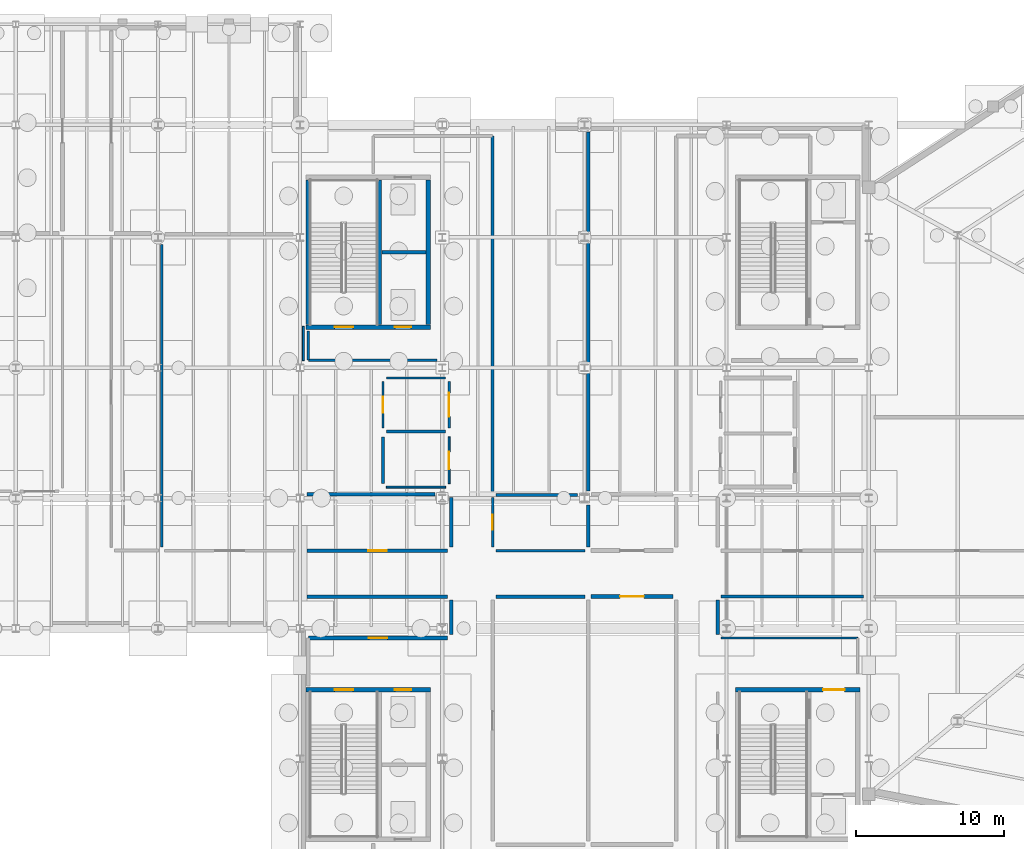
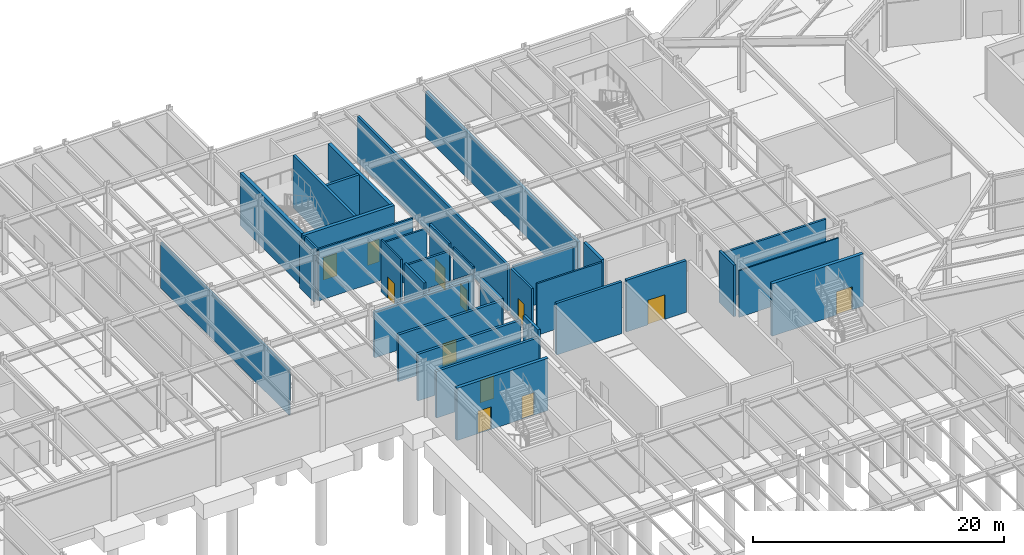
# One storey, part 35 of 48: 35 walls, 12 doors, 12 openings.
"""IFC4 building model written with IfcOpenShell, lengths in metres."""

from ifc_helpers import new_model, si_unit, direction, frame, frame_2d, origin, place, context, subcontext, project, spatial, rectangle, extrude, material, layer, layer_set, type_object, element, fill, save


model = new_model("IFC4")

# Units and contexts
model_context = context("Model", 3, precision=1e-05, world=origin(), true_north=direction((0.0, 1.0)))
body_context = subcontext(model_context, "Body", "Model", "MODEL_VIEW")
ifc_project = project(units=[si_unit("LENGTHUNIT", "METRE"), si_unit("AREAUNIT", "SQUARE_METRE"), si_unit("VOLUMEUNIT", "CUBIC_METRE"), si_unit("PLANEANGLEUNIT", "RADIAN"), si_unit("MASSUNIT", "GRAM", prefix="KILO")], contexts=[model_context])

# Site, building, storey
site_placement = place(None, origin())
site = spatial("IfcSite", under=ifc_project, at=site_placement, CompositionType="ELEMENT")
building_placement = place(site_placement, origin())
building = spatial("IfcBuilding", under=site, at=building_placement, Name="Sarnbrook Museum", CompositionType="ELEMENT")
storey_placement = place(building_placement, frame((0.0, 0.0, -5.39990234375)))
storey = spatial("IfcBuildingStorey", under=building, at=storey_placement, Name="B1", CompositionType="ELEMENT", Elevation=-5.39990234375)

# Wall, opening, door
ifc_material_1 = material(Name="Concrete N50 (AS 3600, f'c = 50 MPa)", Category="concrete")
ifc_layer_1 = layer(ifc_material_1, 0.300048828125)
ifc_layer_set_1 = layer_set([ifc_layer_1], Name="Concrete N50 (AS 3600, f'c = 50 MPa)")
wall_type_1 = type_object("IfcWallType", Name="CoreWall_CWRC", PredefinedType="SHEAR", material=ifc_layer_set_1)
wall_1_placement = place(storey_placement, frame((118.60009765625, 70.25, 0.0), z_axis=(0.0, 0.0, 1.0), x_axis=(-1.0, 0.0, 0.0)))
wall_1 = element("IfcWall", 1, at=wall_1_placement, inside=storey, type_object=wall_type_1, Name="Core C1 Shear Wall N B1", PredefinedType="SHEAR", context=body_context, shape_type="SweptSolid", body=[
    extrude(rectangle(XDim=8.400146484375, YDim=0.300048828125, at=frame_2d((4.2001953125, 0.0))), origin(), (0.0, 0.0, 1.0), 5.094970703125),
])
opening_1_placement = place(wall_1_placement, frame((1.02490234375, 0.0, 0.0)))
opening_1 = element("IfcOpeningElement", 2, at=opening_1_placement, cuts=wall_1, Name="Opening D-LOB-C1-B1", PredefinedType="OPENING", context=body_context, shape_type="SweptSolid", body=[
    extrude(rectangle(XDim=1.449951171875, YDim=2.25, at=frame_2d((0.72509765625, 1.125))), frame((0.0, 0.16015625, 0.0), z_axis=(0.0, -1.0, 0.0), x_axis=(1.0, 0.0, 0.0)), (0.0, 0.0, 1.0), 0.320068359375),
])
ifc_material_2 = material(Name="Tasmanian Oak Acoustic Timber", Category="wood")
door_type_1 = type_object("IfcDoorType", Name="FireDoor_FD120W", OperationType="NOTDEFINED", PredefinedType="DOOR", material=ifc_material_2)
door_1_placement = place(opening_1_placement, origin())
door_1 = element("IfcDoor", 3, at=door_1_placement, inside=storey, type_object=door_type_1, Name="Core C1 Fire Lobby Entry Door B1", OperationType="SINGLE_SWING_RIGHT", OverallHeight=2.25, OverallWidth=1.449951171875, PredefinedType="DOOR", context=body_context, shape_type="SweptSolid", body=[
    extrude(rectangle(XDim=1.449951171875, YDim=2.25, at=frame_2d((0.72509765625, 1.125))), frame((0.0, 0.02490234375, 0.0), z_axis=(0.0, -1.0, 0.0), x_axis=(1.0, 0.0, 0.0)), (0.0, 0.0, 1.0), 0.050048828125),
])
fill(opening_1, door_1)

# Wall, openings, doors
wall_2_placement = place(storey_placement, frame((89.60009765625, 70.25, 0.0), z_axis=(0.0, 0.0, 1.0), x_axis=(-1.0, 0.0, 0.0)))
wall_2 = element("IfcWall", 4, at=wall_2_placement, inside=storey, type_object=wall_type_1, Name="Core C3 Shear Wall N B1", PredefinedType="SHEAR", context=body_context, shape_type="SweptSolid", body=[
    extrude(rectangle(XDim=8.400146484375, YDim=0.300048828125, at=frame_2d((4.2001953125, 0.0))), origin(), (0.0, 0.0, 1.0), 5.094970703125),
])
opening_2_placement = place(wall_2_placement, frame((5.22509765625, 0.0, 0.0)))
opening_2 = element("IfcOpeningElement", 5, at=opening_2_placement, cuts=wall_2, Name="Opening D-ST-ST3-B1", PredefinedType="OPENING", context=body_context, shape_type="SweptSolid", body=[
    extrude(rectangle(XDim=1.25, YDim=2.199951171875, at=frame_2d((0.625, 1.10009765625))), frame((0.0, 0.16015625, 0.0), z_axis=(0.0, -1.0, 0.0), x_axis=(1.0, 0.0, 0.0)), (0.0, 0.0, 1.0), 0.320068359375),
])
opening_3_placement = place(wall_2_placement, frame((1.300048828125, 0.0, 0.0)))
opening_3 = element("IfcOpeningElement", 6, at=opening_3_placement, cuts=wall_2, Name="Opening LD-PL2-B1", PredefinedType="OPENING", context=body_context, shape_type="SweptSolid", body=[
    extrude(rectangle(XDim=1.10009765625, YDim=2.199951171875, at=frame_2d((0.550048828125, 1.10009765625))), frame((0.0, 0.16015625, 0.0), z_axis=(0.0, -1.0, 0.0), x_axis=(1.0, 0.0, 0.0)), (0.0, 0.0, 1.0), 0.320068359375),
])
door_type_2 = type_object("IfcDoorType", Name="FireDoor_FD120", OperationType="NOTDEFINED", PredefinedType="DOOR", material=ifc_material_2)
door_2_placement = place(opening_2_placement, origin())
door_2 = element("IfcDoor", 7, at=door_2_placement, inside=storey, type_object=door_type_2, Name="Exit Stair ST3 Fire Door B1", OperationType="SINGLE_SWING_LEFT", OverallHeight=2.199951171875, OverallWidth=1.25, PredefinedType="DOOR", context=body_context, shape_type="SweptSolid", body=[
    extrude(rectangle(XDim=1.25, YDim=2.199951171875, at=frame_2d((0.625, 1.10009765625))), frame((0.0, 0.02490234375, 0.0), z_axis=(0.0, -1.0, 0.0), x_axis=(1.0, 0.0, 0.0)), (0.0, 0.0, 1.0), 0.050048828125),
])
fill(opening_2, door_2)
ifc_material_3 = material(Name="Brushed Stainless Steel Grade 316", Category="steel")
door_type_3 = type_object("IfcDoorType", Name="LiftDoor_Pax110", OperationType="DOUBLE_DOOR_SLIDING", PredefinedType="DOOR", material=ifc_material_3)
door_3_placement = place(opening_3_placement, origin())
door_3 = element("IfcDoor", 8, at=door_3_placement, inside=storey, type_object=door_type_3, Name="Lift Landing Sliding Door LD-PL2-B1", OperationType="DOUBLE_DOOR_SLIDING", OverallHeight=2.199951171875, OverallWidth=1.10009765625, PredefinedType="DOOR", context=body_context, shape_type="SweptSolid", body=[
    extrude(rectangle(XDim=1.10009765625, YDim=2.199951171875, at=frame_2d((0.550048828125, 1.10009765625))), frame((0.0, 0.02490234375, 0.0), z_axis=(0.0, -1.0, 0.0), x_axis=(1.0, 0.0, 0.0)), (0.0, 0.0, 1.0), 0.050048828125),
])
fill(opening_3, door_3)

wall_3_placement = place(storey_placement, frame((81.199951171875, 94.75, 0.0), z_axis=(0.0, 0.0, 1.0), x_axis=(1.0, 0.0, 0.0)))
wall_3 = element("IfcWall", 9, at=wall_3_placement, inside=storey, type_object=wall_type_1, Name="Core C4 Shear Wall S B1", PredefinedType="SHEAR", context=body_context, shape_type="SweptSolid", body=[
    extrude(rectangle(XDim=8.400146484375, YDim=0.300048828125, at=frame_2d((4.2001953125, 0.0))), origin(), (0.0, 0.0, 1.0), 5.094970703125),
])
opening_4_placement = place(wall_3_placement, frame((1.925048828125, 0.0, 0.0)))
opening_4 = element("IfcOpeningElement", 10, at=opening_4_placement, cuts=wall_3, Name="Opening D-ST-ST4-B1", PredefinedType="OPENING", context=body_context, shape_type="SweptSolid", body=[
    extrude(rectangle(XDim=1.25, YDim=2.199951171875, at=frame_2d((0.625, 1.10009765625))), frame((0.0, 0.16015625, 0.0), z_axis=(0.0, -1.0, 0.0), x_axis=(1.0, 0.0, 0.0)), (0.0, 0.0, 1.0), 0.320068359375),
])
opening_5_placement = place(wall_3_placement, frame((6.0, 0.0, 0.0)))
opening_5 = element("IfcOpeningElement", 11, at=opening_5_placement, cuts=wall_3, Name="Opening LD-PL3-B1", PredefinedType="OPENING", context=body_context, shape_type="SweptSolid", body=[
    extrude(rectangle(XDim=1.10009765625, YDim=2.199951171875, at=frame_2d((0.550048828125, 1.10009765625))), frame((0.0, 0.16015625, 0.0), z_axis=(0.0, -1.0, 0.0), x_axis=(1.0, 0.0, 0.0)), (0.0, 0.0, 1.0), 0.320068359375),
])
door_4_placement = place(opening_4_placement, origin())
door_4 = element("IfcDoor", 12, at=door_4_placement, inside=storey, type_object=door_type_2, Name="Exit Stair ST4 Fire Door B1", OperationType="SINGLE_SWING_RIGHT", OverallHeight=2.199951171875, OverallWidth=1.25, PredefinedType="DOOR", context=body_context, shape_type="SweptSolid", body=[
    extrude(rectangle(XDim=1.25, YDim=2.199951171875, at=frame_2d((0.625, 1.10009765625))), frame((0.0, 0.02490234375, 0.0), z_axis=(0.0, -1.0, 0.0), x_axis=(1.0, 0.0, 0.0)), (0.0, 0.0, 1.0), 0.050048828125),
])
fill(opening_4, door_4)
door_5_placement = place(opening_5_placement, origin())
door_5 = element("IfcDoor", 13, at=door_5_placement, inside=storey, type_object=door_type_3, Name="Lift Landing Sliding Door LD-PL3-B1", OperationType="DOUBLE_DOOR_SLIDING", OverallHeight=2.199951171875, OverallWidth=1.10009765625, PredefinedType="DOOR", context=body_context, shape_type="SweptSolid", body=[
    extrude(rectangle(XDim=1.10009765625, YDim=2.199951171875, at=frame_2d((0.550048828125, 1.10009765625))), frame((0.0, 0.02490234375, 0.0), z_axis=(0.0, -1.0, 0.0), x_axis=(1.0, 0.0, 0.0)), (0.0, 0.0, 1.0), 0.050048828125),
])
fill(opening_5, door_5)

# Walls
for number, where, z_axis, x_axis, name in (
    (14, (89.449951171875, 94.909912109375, 0.0), (0.0, 0.0, 1.0), (0.0, 1.0, 0.0), "Core C4 Shear Wall E B1"),
    (15, (81.35009765625, 104.68994140625, 0.0), (0.0, 0.0, 1.0), (0.0, -1.0, 0.0), "Core C4 Shear Wall W B1"),
):
    element("IfcWall", number, at=place(storey_placement, frame(where, z_axis=z_axis, x_axis=x_axis)), inside=storey, type_object=wall_type_1, Name=name, PredefinedType="SHEAR", context=body_context, shape_type="SweptSolid", body=[
        extrude(rectangle(XDim=9.780029296875, YDim=0.300048828125, at=frame_2d((4.89013671875, 0.0))), origin(), (0.0, 0.0, 1.0), 5.094970703125),
    ])

# Wall, opening, door
ifc_material_4 = material(Name="Concrete N40 (AS 3600, f'c = 40 MPa)", Category="concrete")
ifc_layer_2 = layer(ifc_material_4, 0.260009765625)
ifc_layer_set_2 = layer_set([ifc_layer_2], Name="Concrete N40 (AS 3600, f'c = 40 MPa)")
wall_type_2 = type_object("IfcWallType", Name="FireWall_FW240", PredefinedType="SOLIDWALL", material=ifc_layer_set_2)
wall_4_placement = place(storey_placement, frame((100.449951171875, 76.550048828125, 0.0), z_axis=(0.0, 0.0, 1.0), x_axis=(1.0, 0.0, 0.0)))
wall_4 = element("IfcWall", 16, at=wall_4_placement, inside=storey, type_object=wall_type_2, Name="Interior Partition Wall B1-0051", PredefinedType="SOLIDWALL", context=body_context, shape_type="SweptSolid", body=[
    extrude(rectangle(XDim=5.52001953125, YDim=0.260009765625, at=frame_2d((2.760009765625, 0.0))), origin(), (0.0, 0.0, 1.0), 5.02978515625),
])
opening_6_placement = place(wall_4_placement, frame((1.9599609375, 0.0, 0.0)))
opening_6 = element("IfcOpeningElement", 17, at=opening_6_placement, cuts=wall_4, Name="Opening D-B1-017", PredefinedType="OPENING", context=body_context, shape_type="SweptSolid", body=[
    extrude(rectangle(XDim=1.60009765625, YDim=2.39990234375, at=frame_2d((0.800048828125, 1.199951171875))), frame((0.0, 0.14013671875, 0.0), z_axis=(0.0, -1.0, 0.0), x_axis=(1.0, 0.0, 0.0)), (0.0, 0.0, 1.0), 0.280029296875),
])
ifc_material_5 = material(Name="Patinated Architectural Bronze")
door_type_4 = type_object("IfcDoorType", Name="FireDoor_FD240", OperationType="NOTDEFINED", PredefinedType="DOOR", material=ifc_material_5)
door_6_placement = place(opening_6_placement, frame((1.60009765625, 0.0, 0.0), z_axis=(0.0, 0.0, 1.0), x_axis=(-1.0, 0.0, 0.0)))
door_6 = element("IfcDoor", 18, at=door_6_placement, inside=storey, type_object=door_type_4, Name="Palaeontology Vault B1-12 Door D-B1-017", OperationType="DOUBLE_DOOR_SINGLE_SWING", OverallHeight=2.39990234375, OverallWidth=1.60009765625, PredefinedType="DOOR", context=body_context, shape_type="SweptSolid", body=[
    extrude(rectangle(XDim=1.60009765625, YDim=2.39990234375, at=frame_2d((0.800048828125, 1.199951171875))), frame((0.0, 0.02490234375, 0.0), z_axis=(0.0, -1.0, 0.0), x_axis=(1.0, 0.0, 0.0)), (0.0, 0.0, 1.0), 0.050048828125),
])
fill(opening_6, door_6)

# Walls
wall_5_placement = place(storey_placement, frame((100.260009765625, 107.919921875, 0.0), z_axis=(0.0, 0.0, 1.0), x_axis=(0.0, -1.0, 0.0)))
element("IfcWall", 19, at=wall_5_placement, inside=storey, type_object=wall_type_2, Name="Interior Partition Wall B1-0120", PredefinedType="SOLIDWALL", context=body_context, shape_type="SweptSolid", body=[
    extrude(rectangle(XDim=24.239990234375, YDim=0.260009765625, at=frame_2d((12.1201171875, 0.0))), origin(), (0.0, 0.0, 1.0), 4.4580078125),
])
wall_6_placement = place(storey_placement, frame((100.260009765625, 82.719970703125, 0.0), z_axis=(0.0, 0.0, 1.0), x_axis=(0.0, -1.0, 0.0)))
element("IfcWall", 20, at=wall_6_placement, inside=storey, type_object=wall_type_2, Name="Interior Partition Wall B1-0122", PredefinedType="SOLIDWALL", context=body_context, shape_type="SweptSolid", body=[
    extrude(rectangle(XDim=2.840087890625, YDim=0.260009765625, at=frame_2d((1.419921875, 0.0))), origin(), (0.0, 0.0, 1.0), 5.02978515625),
])
ifc_material_6 = material(Name="Fire-Rated Acoustic Gypsum Plasterboard")
ifc_layer_3 = layer(ifc_material_6, 0.1201171875)
ifc_layer_set_3 = layer_set([ifc_layer_3], Name="Fire-Rated Acoustic Gypsum Plasterboard")
wall_type_3 = type_object("IfcWallType", Name="PartWall_P120", PredefinedType="PARTITIONING", material=ifc_layer_set_3)
wall_7_placement = place(storey_placement, frame((90.6298828125, 83.93994140625, 0.0), z_axis=(0.0, 0.0, 1.0), x_axis=(-1.0, 0.0, 0.0)))
element("IfcWall", 21, at=wall_7_placement, inside=storey, type_object=wall_type_3, Name="Interior Partition Wall B1-0013", PredefinedType="PARTITIONING", context=body_context, shape_type="SweptSolid", body=[
    extrude(rectangle(XDim=4.009765625, YDim=0.1201171875, at=frame_2d((2.0048828125, 0.0))), origin(), (0.0, 0.0, 1.0), 4.536865234375),
])
wall_8_placement = place(storey_placement, frame((118.43994140625, 73.75, 0.0), z_axis=(0.0, 0.0, 1.0), x_axis=(-1.0, 0.0, 0.0)))
element("IfcWall", 22, at=wall_8_placement, inside=storey, type_object=wall_type_3, Name="Interior Partition Wall B1-0048", PredefinedType="PARTITIONING", context=body_context, shape_type="SweptSolid", body=[
    extrude(rectangle(XDim=9.2099609375, YDim=0.1201171875, at=frame_2d((4.60498046875, 0.0))), origin(), (0.0, 0.0, 1.0), 4.536865234375),
])

# Wall, opening, door
ifc_layer_4 = layer(ifc_material_6, 0.135009765625)
ifc_layer_set_4 = layer_set([ifc_layer_4], Name="Fire-Rated Acoustic Gypsum Plasterboard")
wall_type_4 = type_object("IfcWallType", Name="PartWall_P135", PredefinedType="PARTITIONING", material=ifc_layer_set_4)
wall_9_placement = place(storey_placement, frame((90.860107421875, 87.330078125, 0.0), z_axis=(0.0, 0.0, 1.0), x_axis=(0.0, -1.0, 0.0)))
wall_9 = element("IfcWall", 23, at=wall_9_placement, inside=storey, type_object=wall_type_4, Name="Interior Partition Wall B1-0012", PredefinedType="PARTITIONING", context=body_context, shape_type="SweptSolid", body=[
    extrude(rectangle(XDim=3.16015625, YDim=0.135009765625, at=frame_2d((1.580078125, 0.0))), origin(), (0.0, 0.0, 1.0), 5.02978515625),
])
opening_7_placement = place(wall_9_placement, frame((0.989990234375, 0.0, 0.0)))
opening_7 = element("IfcOpeningElement", 24, at=opening_7_placement, cuts=wall_9, Name="Opening D-B1-006", PredefinedType="OPENING", context=body_context, shape_type="SweptSolid", body=[
    extrude(rectangle(XDim=1.179931640625, YDim=2.080078125, at=frame_2d((0.58984375, 1.0400390625))), frame((0.0, 0.07763671875, 0.0), z_axis=(0.0, -1.0, 0.0), x_axis=(1.0, 0.0, 0.0)), (0.0, 0.0, 1.0), 0.155029296875),
])
door_type_5 = type_object("IfcDoorType", Name="IntDoor_DT06", OperationType="NOTDEFINED", PredefinedType="DOOR", material=ifc_material_2)
door_7_placement = place(opening_7_placement, frame((1.179931640625, 0.0, 0.0), z_axis=(0.0, 0.0, 1.0), x_axis=(-1.0, 0.0, 0.0)))
door_7 = element("IfcDoor", 25, at=door_7_placement, inside=storey, type_object=door_type_5, Name="Curatorial Staff Toilet B1 Door D-B1-006", OperationType="SINGLE_SWING_LEFT", OverallHeight=2.080078125, OverallWidth=1.179931640625, PredefinedType="DOOR", context=body_context, shape_type="SweptSolid", body=[
    extrude(rectangle(XDim=1.179931640625, YDim=2.080078125, at=frame_2d((0.58984375, 1.0400390625))), frame((0.0, 0.02490234375, 0.0), z_axis=(0.0, -1.0, 0.0), x_axis=(1.0, 0.0, 0.0)), (0.0, 0.0, 1.0), 0.050048828125),
])
fill(opening_7, door_7)

# Wall
wall_10_placement = place(storey_placement, frame((81.02001953125, 92.47998046875, 0.0), z_axis=(0.0, 0.0, 1.0), x_axis=(0.0, 1.0, 0.0)))
element("IfcWall", 26, at=wall_10_placement, inside=storey, type_object=wall_type_4, Name="Interior Partition Wall B1-0040", PredefinedType="PARTITIONING", context=body_context, shape_type="SweptSolid", body=[
    extrude(rectangle(XDim=2.320068359375, YDim=0.135009765625, at=frame_2d((1.16015625, 0.0))), origin(), (0.0, 0.0, 1.0), 4.52685546875),
])

# Wall, opening, door
ifc_layer_5 = layer(ifc_material_6, 0.14990234375)
ifc_layer_set_5 = layer_set([ifc_layer_5], Name="Fire-Rated Acoustic Gypsum Plasterboard")
wall_type_5 = type_object("IfcWallType", Name="PartWall_P150", PredefinedType="PARTITIONING", material=ifc_layer_set_5)
wall_11_placement = place(storey_placement, frame((86.389892578125, 87.919921875, 0.0), z_axis=(0.0, 0.0, 1.0), x_axis=(0.0, 1.0, 0.0)))
wall_11 = element("IfcWall", 27, at=wall_11_placement, inside=storey, type_object=wall_type_5, Name="Interior Partition Wall B1-0011", PredefinedType="PARTITIONING", context=body_context, shape_type="SweptSolid", body=[
    extrude(rectangle(XDim=3.16015625, YDim=0.14990234375, at=frame_2d((1.580078125, 0.0))), origin(), (0.0, 0.0, 1.0), 5.02978515625),
])
opening_8_placement = place(wall_11_placement, frame((1.030029296875, 0.0, 0.0)))
opening_8 = element("IfcOpeningElement", 28, at=opening_8_placement, cuts=wall_11, Name="Opening D-B1-005", PredefinedType="OPENING", context=body_context, shape_type="SweptSolid", body=[
    extrude(rectangle(XDim=1.10009765625, YDim=2.080078125, at=frame_2d((0.550048828125, 1.0400390625))), frame((0.0, 0.0849609375, 0.0), z_axis=(0.0, -1.0, 0.0), x_axis=(1.0, 0.0, 0.0)), (0.0, 0.0, 1.0), 0.169921875),
])
door_type_6 = type_object("IfcDoorType", Name="IntDoor_DT05", OperationType="NOTDEFINED", PredefinedType="DOOR", material=ifc_material_2)
door_8_placement = place(opening_8_placement, frame((1.10009765625, 0.0, 0.0), z_axis=(0.0, 0.0, 1.0), x_axis=(-1.0, 0.0, 0.0)))
door_8 = element("IfcDoor", 29, at=door_8_placement, inside=storey, type_object=door_type_6, Name="Conservation Prep Workshop B1-8 Door D-B1-005", OperationType="SINGLE_SWING_RIGHT", OverallHeight=2.080078125, OverallWidth=1.10009765625, PredefinedType="DOOR", context=body_context, shape_type="SweptSolid", body=[
    extrude(rectangle(XDim=1.10009765625, YDim=2.080078125, at=frame_2d((0.550048828125, 1.0400390625))), frame((0.0, 0.02490234375, 0.0), z_axis=(0.0, -1.0, 0.0), x_axis=(1.0, 0.0, 0.0)), (0.0, 0.0, 1.0), 0.050048828125),
])
fill(opening_8, door_8)

# Walls
wall_12_placement = place(storey_placement, frame((81.360107421875, 92.5, 0.0), z_axis=(0.0, 0.0, 1.0), x_axis=(1.0, 0.0, 0.0)))
element("IfcWall", 30, at=wall_12_placement, inside=storey, type_object=wall_type_5, Name="Interior Partition Wall B1-0039", PredefinedType="PARTITIONING", context=body_context, shape_type="SweptSolid", body=[
    extrude(rectangle(XDim=8.697021484375, YDim=0.14990234375, at=frame_2d((4.3486328125, 0.0))), origin(), (0.0, 0.0, 1.0), 5.02978515625),
])
ifc_layer_6 = layer(ifc_material_6, 0.1650390625)
ifc_layer_set_6 = layer_set([ifc_layer_6], Name="Fire-Rated Acoustic Gypsum Plasterboard")
wall_type_6 = type_object("IfcWallType", Name="PartWall_P165", PredefinedType="PARTITIONING", material=ifc_layer_set_6)
wall_13_placement = place(storey_placement, frame((86.6201171875, 91.31005859375, 0.0), z_axis=(0.0, 0.0, 1.0), x_axis=(1.0, 0.0, 0.0)))
element("IfcWall", 31, at=wall_13_placement, inside=storey, type_object=wall_type_6, Name="Interior Partition Wall B1-0010", PredefinedType="PARTITIONING", context=body_context, shape_type="SweptSolid", body=[
    extrude(rectangle(XDim=4.009765625, YDim=0.1650390625, at=frame_2d((2.0048828125, 0.0))), origin(), (0.0, 0.0, 1.0), 4.536865234375),
])
wall_14_placement = place(storey_placement, frame((81.35009765625, 94.47998046875, 0.0), z_axis=(0.0, 0.0, 1.0), x_axis=(0.0, -1.0, 0.0)))
element("IfcWall", 32, at=wall_14_placement, inside=storey, type_object=wall_type_6, Name="Interior Partition Wall B1-0038", PredefinedType="PARTITIONING", context=body_context, shape_type="SweptSolid", body=[
    extrude(rectangle(XDim=1.969970703125, YDim=0.1650390625, at=frame_2d((0.98486328125, 0.0))), origin(), (0.0, 0.0, 1.0), 5.02978515625),
])
wall_15_placement = place(storey_placement, frame((100.030029296875, 79.64990234375, 0.0), z_axis=(0.0, 0.0, 1.0), x_axis=(-1.0, 0.0, 0.0)))
element("IfcWall", 33, at=wall_15_placement, inside=storey, type_object=wall_type_6, Name="Interior Partition Wall B1-0045", PredefinedType="PARTITIONING", context=body_context, shape_type="SweptSolid", body=[
    extrude(rectangle(XDim=6.0, YDim=0.1650390625, at=frame_2d((3.0, 0.0))), origin(), (0.0, 0.0, 1.0), 5.02978515625),
])
wall_16_placement = place(storey_placement, frame((71.4599609375, 100.320068359375, 0.0), z_axis=(0.0, 0.0, 1.0), x_axis=(0.0, -1.0, 0.0)))
element("IfcWall", 34, at=wall_16_placement, inside=storey, type_object=wall_type_6, Name="Interior Partition Wall B1-0136", PredefinedType="PARTITIONING", context=body_context, shape_type="SweptSolid", body=[
    extrude(rectangle(XDim=20.440185546875, YDim=0.1650390625, at=frame_2d((10.22021484375, 0.0))), origin(), (0.0, 0.0, 1.0), 4.447998046875),
])

# Wall, opening, door
ifc_layer_7 = layer(ifc_material_6, 0.179931640625)
ifc_layer_set_7 = layer_set([ifc_layer_7], Name="Fire-Rated Acoustic Gypsum Plasterboard")
wall_type_7 = type_object("IfcWallType", Name="PartWall_P180", PredefinedType="PARTITIONING", material=ifc_layer_set_7)
wall_17_placement = place(storey_placement, frame((90.860107421875, 91.080078125, 0.0), z_axis=(0.0, 0.0, 1.0), x_axis=(0.0, -1.0, 0.0)))
wall_17 = element("IfcWall", 35, at=wall_17_placement, inside=storey, type_object=wall_type_7, Name="Interior Partition Wall B1-0009", PredefinedType="PARTITIONING", context=body_context, shape_type="SweptSolid", body=[
    extrude(rectangle(XDim=3.16015625, YDim=0.179931640625, at=frame_2d((1.580078125, 0.0))), origin(), (0.0, 0.0, 1.0), 5.02978515625),
])
opening_9_placement = place(wall_17_placement, frame((0.780029296875, 0.0, 0.0)))
opening_9 = element("IfcOpeningElement", 36, at=opening_9_placement, cuts=wall_17, Name="Opening D-B1-004", PredefinedType="OPENING", context=body_context, shape_type="SweptSolid", body=[
    extrude(rectangle(XDim=1.60009765625, YDim=2.10009765625, at=frame_2d((0.800048828125, 1.050048828125))), frame((0.0, 0.10009765625, 0.0), z_axis=(0.0, -1.0, 0.0), x_axis=(1.0, 0.0, 0.0)), (0.0, 0.0, 1.0), 0.199951171875),
])
door_type_7 = type_object("IfcDoorType", Name="ServiceGate_G1", OperationType="NOTDEFINED", PredefinedType="GATE", material=ifc_material_5)
door_9_placement = place(opening_9_placement, frame((1.60009765625, 0.0, 0.0), z_axis=(0.0, 0.0, 1.0), x_axis=(-1.0, 0.0, 0.0)))
door_9 = element("IfcDoor", 37, at=door_9_placement, inside=storey, type_object=door_type_7, Name="Accessible Unisex Toilet B1 Door D-B1-004", OperationType="DOUBLE_DOOR_SINGLE_SWING", OverallHeight=2.10009765625, OverallWidth=1.60009765625, PredefinedType="GATE", context=body_context, shape_type="SweptSolid", body=[
    extrude(rectangle(XDim=1.60009765625, YDim=2.10009765625, at=frame_2d((0.800048828125, 1.050048828125))), frame((0.0, 0.02490234375, 0.0), z_axis=(0.0, -1.0, 0.0), x_axis=(1.0, 0.0, 0.0)), (0.0, 0.0, 1.0), 0.050048828125),
])
fill(opening_9, door_9)

wall_18_placement = place(storey_placement, frame((93.800048828125, 79.8798828125, 0.0), z_axis=(0.0, 0.0, 1.0), x_axis=(0.0, 1.0, 0.0)))
wall_18 = element("IfcWall", 38, at=wall_18_placement, inside=storey, type_object=wall_type_7, Name="Interior Partition Wall B1-0044", PredefinedType="PARTITIONING", context=body_context, shape_type="SweptSolid", body=[
    extrude(rectangle(XDim=3.35009765625, YDim=0.179931640625, at=frame_2d((1.675048828125, 0.0))), origin(), (0.0, 0.0, 1.0), 4.4580078125),
])
opening_10_placement = place(wall_18_placement, frame((1.1650390625, 0.0, 0.0)))
opening_10 = element("IfcOpeningElement", 39, at=opening_10_placement, cuts=wall_18, Name="Opening D-B1-015", PredefinedType="OPENING", context=body_context, shape_type="SweptSolid", body=[
    extrude(rectangle(XDim=1.02001953125, YDim=2.239990234375, at=frame_2d((0.510009765625, 1.1201171875))), frame((0.0, 0.10009765625, 0.0), z_axis=(0.0, -1.0, 0.0), x_axis=(1.0, 0.0, 0.0)), (0.0, 0.0, 1.0), 0.199951171875),
])
door_type_8 = type_object("IfcDoorType", Name="IntDoor_DT15", OperationType="NOTDEFINED", PredefinedType="DOOR", material=ifc_material_2)
door_10_placement = place(opening_10_placement, origin())
door_10 = element("IfcDoor", 40, at=door_10_placement, inside=storey, type_object=door_type_8, Name="Specimen Quarantine Room B1-10 Door D-B1-015", OperationType="SINGLE_SWING_RIGHT", OverallHeight=2.239990234375, OverallWidth=1.02001953125, PredefinedType="DOOR", context=body_context, shape_type="SweptSolid", body=[
    extrude(rectangle(XDim=1.02001953125, YDim=2.239990234375, at=frame_2d((0.510009765625, 1.1201171875))), frame((0.0, 0.02490234375, 0.0), z_axis=(0.0, -1.0, 0.0), x_axis=(1.0, 0.0, 0.0)), (0.0, 0.0, 1.0), 0.050048828125),
])
fill(opening_10, door_10)

# Walls
ifc_layer_8 = layer(ifc_material_6, 0.195068359375)
ifc_layer_set_8 = layer_set([ifc_layer_8], Name="Fire-Rated Acoustic Gypsum Plasterboard")
wall_type_8 = type_object("IfcWallType", Name="PartWall_P195", PredefinedType="PARTITIONING", material=ifc_layer_set_8)
wall_19_placement = place(storey_placement, frame((90.6298828125, 87.68994140625, 0.0), z_axis=(0.0, 0.0, 1.0), x_axis=(-1.0, 0.0, 0.0)))
element("IfcWall", 41, at=wall_19_placement, inside=storey, type_object=wall_type_8, Name="Interior Partition Wall B1-0008", PredefinedType="PARTITIONING", context=body_context, shape_type="SweptSolid", body=[
    extrude(rectangle(XDim=4.009765625, YDim=0.195068359375, at=frame_2d((2.0048828125, 0.0))), origin(), (0.0, 0.0, 1.0), 4.536865234375),
])
wall_20_placement = place(storey_placement, frame((109.22998046875, 76.550048828125, 0.0), z_axis=(0.0, 0.0, 1.0), x_axis=(1.0, 0.0, 0.0)))
element("IfcWall", 42, at=wall_20_placement, inside=storey, type_object=wall_type_8, Name="Interior Partition Wall B1-0050", PredefinedType="PARTITIONING", context=body_context, shape_type="SweptSolid", body=[
    extrude(rectangle(XDim=9.610107421875, YDim=0.195068359375, at=frame_2d((4.80517578125, 0.0))), origin(), (0.0, 0.0, 1.0), 4.536865234375),
])
ifc_layer_9 = layer(ifc_material_6, 0.2099609375)
ifc_layer_set_9 = layer_set([ifc_layer_9], Name="Fire-Rated Acoustic Gypsum Plasterboard")
wall_type_9 = type_object("IfcWallType", Name="PartWall_P210", PredefinedType="PARTITIONING", material=ifc_layer_set_9)
wall_21_placement = place(storey_placement, frame((86.389892578125, 84.169921875, 0.0), z_axis=(0.0, 0.0, 1.0), x_axis=(0.0, 1.0, 0.0)))
element("IfcWall", 43, at=wall_21_placement, inside=storey, type_object=wall_type_9, Name="Interior Partition Wall B1-0014", PredefinedType="PARTITIONING", context=body_context, shape_type="SweptSolid", body=[
    extrude(rectangle(XDim=3.16015625, YDim=0.2099609375, at=frame_2d((1.580078125, 0.0))), origin(), (0.0, 0.0, 1.0), 5.02978515625),
])
wall_22_placement = place(storey_placement, frame((93.800048828125, 83.64990234375, 0.0), z_axis=(0.0, 0.0, 1.0), x_axis=(0.0, 1.0, 0.0)))
element("IfcWall", 44, at=wall_22_placement, inside=storey, type_object=wall_type_9, Name="Interior Partition Wall B1-0035", PredefinedType="PARTITIONING", context=body_context, shape_type="SweptSolid", body=[
    extrude(rectangle(XDim=23.989990234375, YDim=0.2099609375, at=frame_2d((11.9951171875, 0.0))), origin(), (0.0, 0.0, 1.0), 4.4580078125),
])
wall_23_placement = place(storey_placement, frame((109.0, 73.97998046875, 0.0), z_axis=(0.0, 0.0, 1.0), x_axis=(0.0, 1.0, 0.0)))
element("IfcWall", 45, at=wall_23_placement, inside=storey, type_object=wall_type_9, Name="Interior Partition Wall B1-0049", PredefinedType="PARTITIONING", context=body_context, shape_type="SweptSolid", body=[
    extrude(rectangle(XDim=2.340087890625, YDim=0.2099609375, at=frame_2d((1.169921875, 0.0))), origin(), (0.0, 0.0, 1.0), 5.02978515625),
])
wall_24_placement = place(storey_placement, frame((99.52001953125, 83.419921875, 0.0), z_axis=(0.0, 0.0, 1.0), x_axis=(-1.0, 0.0, 0.0)))
element("IfcWall", 46, at=wall_24_placement, inside=storey, type_object=wall_type_9, Name="Interior Partition Wall B1-0119", PredefinedType="PARTITIONING", context=body_context, shape_type="SweptSolid", body=[
    extrude(rectangle(XDim=5.489990234375, YDim=0.2099609375, at=frame_2d((2.7451171875, 0.0))), origin(), (0.0, 0.0, 1.0), 4.4580078125),
])
ifc_layer_10 = layer(ifc_material_4, 0.239990234375)
ifc_layer_set_10 = layer_set([ifc_layer_10], Name="Concrete N40 (AS 3600, f'c = 40 MPa)")
wall_type_10 = type_object("IfcWallType", Name="ShaftWall_SWRC", PredefinedType="SOLIDWALL", material=ifc_layer_set_10)
wall_25_placement = place(storey_placement, frame((86.18994140625, 94.909912109375, 0.0), z_axis=(0.0, 0.0, 1.0), x_axis=(0.0, 1.0, 0.0)))
element("IfcWall", 47, at=wall_25_placement, inside=storey, type_object=wall_type_10, Name="Stairwell ST4 Fire Shaft Wall B1", PredefinedType="SOLIDWALL", context=body_context, shape_type="SweptSolid", body=[
    extrude(rectangle(XDim=9.780029296875, YDim=0.239990234375, at=frame_2d((4.89013671875, 0.0))), origin(), (0.0, 0.0, 1.0), 5.094970703125),
])
wall_26_placement = place(storey_placement, frame((86.320068359375, 99.800048828125, 0.0), z_axis=(0.0, 0.0, 1.0), x_axis=(1.0, 0.0, 0.0)))
element("IfcWall", 48, at=wall_26_placement, inside=storey, type_object=wall_type_10, Name="Core C4 Twin Lift Divider Wall B1", PredefinedType="SOLIDWALL", context=body_context, shape_type="SweptSolid", body=[
    extrude(rectangle(XDim=2.969970703125, YDim=0.239990234375, at=frame_2d((1.48486328125, 0.0))), origin(), (0.0, 0.0, 1.0), 5.094970703125),
])
wall_27_placement = place(storey_placement, frame((91.0, 76.320068359375, 0.0), z_axis=(0.0, 0.0, 1.0), x_axis=(0.0, -1.0, 0.0)))
element("IfcWall", 49, at=wall_27_placement, inside=storey, type_object=wall_type_10, Name="Interior Partition Wall B1-0028", PredefinedType="SOLIDWALL", context=body_context, shape_type="SweptSolid", body=[
    extrude(rectangle(XDim=2.340087890625, YDim=0.239990234375, at=frame_2d((1.169921875, 0.0))), origin(), (0.0, 0.0, 1.0), 5.02978515625),
])

# Wall, opening, door
wall_28_placement = place(storey_placement, frame((90.77001953125, 73.75, 0.0), z_axis=(0.0, 0.0, 1.0), x_axis=(-1.0, 0.0, 0.0)))
wall_28 = element("IfcWall", 50, at=wall_28_placement, inside=storey, type_object=wall_type_10, Name="Interior Partition Wall B1-0029", PredefinedType="SOLIDWALL", context=body_context, shape_type="SweptSolid", body=[
    extrude(rectangle(XDim=9.409912109375, YDim=0.239990234375, at=frame_2d((4.705078125, 0.0))), origin(), (0.0, 0.0, 1.0), 4.536865234375),
])
opening_11_placement = place(wall_28_placement, frame((4.080078125, 0.0, 0.0)))
opening_11 = element("IfcOpeningElement", 51, at=opening_11_placement, cuts=wall_28, Name="Opening D-B1-012", PredefinedType="OPENING", context=body_context, shape_type="SweptSolid", body=[
    extrude(rectangle(XDim=1.25, YDim=2.199951171875, at=frame_2d((0.625, 1.10009765625))), frame((0.0, 0.1298828125, 0.0), z_axis=(0.0, -1.0, 0.0), x_axis=(1.0, 0.0, 0.0)), (0.0, 0.0, 1.0), 0.260009765625),
])
door_11_placement = place(opening_11_placement, origin())
door_11 = element("IfcDoor", 52, at=door_11_placement, inside=storey, type_object=door_type_2, Name="Chiller & Thermal Plant Room B1-6 Door D-B1-012", OperationType="SINGLE_SWING_LEFT", OverallHeight=2.199951171875, OverallWidth=1.25, PredefinedType="DOOR", context=body_context, shape_type="SweptSolid", body=[
    extrude(rectangle(XDim=1.25, YDim=2.199951171875, at=frame_2d((0.625, 1.10009765625))), frame((0.0, 0.02490234375, 0.0), z_axis=(0.0, -1.0, 0.0), x_axis=(1.0, 0.0, 0.0)), (0.0, 0.0, 1.0), 0.050048828125),
])
fill(opening_11, door_11)

# Wall
wall_29_placement = place(storey_placement, frame((81.25, 76.550048828125, 0.0), z_axis=(0.0, 0.0, 1.0), x_axis=(1.0, 0.0, 0.0)))
element("IfcWall", 53, at=wall_29_placement, inside=storey, type_object=wall_type_10, Name="Interior Partition Wall B1-0032", PredefinedType="SOLIDWALL", context=body_context, shape_type="SweptSolid", body=[
    extrude(rectangle(XDim=9.52001953125, YDim=0.239990234375, at=frame_2d((4.760009765625, 0.0))), origin(), (0.0, 0.0, 1.0), 4.536865234375),
])

# Wall, opening, door
wall_30_placement = place(storey_placement, frame((90.77001953125, 79.64990234375, 0.0), z_axis=(0.0, 0.0, 1.0), x_axis=(-1.0, 0.0, 0.0)))
wall_30 = element("IfcWall", 54, at=wall_30_placement, inside=storey, type_object=wall_type_10, Name="Interior Partition Wall B1-0033", PredefinedType="SOLIDWALL", context=body_context, shape_type="SweptSolid", body=[
    extrude(rectangle(XDim=9.52001953125, YDim=0.239990234375, at=frame_2d((4.760009765625, 0.0))), origin(), (0.0, 0.0, 1.0), 4.536865234375),
])
opening_12_placement = place(wall_30_placement, frame((4.135009765625, 0.0, 0.0)))
opening_12 = element("IfcOpeningElement", 55, at=opening_12_placement, cuts=wall_30, Name="Opening D-B1-013", PredefinedType="OPENING", context=body_context, shape_type="SweptSolid", body=[
    extrude(rectangle(XDim=1.25, YDim=2.199951171875, at=frame_2d((0.625, 1.10009765625))), frame((0.0, 0.1298828125, 0.0), z_axis=(0.0, -1.0, 0.0), x_axis=(1.0, 0.0, 0.0)), (0.0, 0.0, 1.0), 0.260009765625),
])
door_12_placement = place(opening_12_placement, origin())
door_12 = element("IfcDoor", 56, at=door_12_placement, inside=storey, type_object=door_type_2, Name="Main HV Switchroom & Substation B1-7 Door D-B1-013", OperationType="SINGLE_SWING_RIGHT", OverallHeight=2.199951171875, OverallWidth=1.25, PredefinedType="DOOR", context=body_context, shape_type="SweptSolid", body=[
    extrude(rectangle(XDim=1.25, YDim=2.199951171875, at=frame_2d((0.625, 1.10009765625))), frame((0.0, 0.02490234375, 0.0), z_axis=(0.0, -1.0, 0.0), x_axis=(1.0, 0.0, 0.0)), (0.0, 0.0, 1.0), 0.050048828125),
])
fill(opening_12, door_12)

# Walls
wall_31_placement = place(storey_placement, frame((91.0, 83.22998046875, 0.0), z_axis=(0.0, 0.0, 1.0), x_axis=(0.0, -1.0, 0.0)))
element("IfcWall", 57, at=wall_31_placement, inside=storey, type_object=wall_type_10, Name="Interior Partition Wall B1-0034", PredefinedType="SOLIDWALL", context=body_context, shape_type="SweptSolid", body=[
    extrude(rectangle(XDim=3.35009765625, YDim=0.239990234375, at=frame_2d((1.675048828125, 0.0))), origin(), (0.0, 0.0, 1.0), 4.4580078125),
])
wall_32_placement = place(storey_placement, frame((94.030029296875, 76.550048828125, 0.0), z_axis=(0.0, 0.0, 1.0), x_axis=(1.0, 0.0, 0.0)))
element("IfcWall", 58, at=wall_32_placement, inside=storey, type_object=wall_type_10, Name="Interior Partition Wall B1-0042", PredefinedType="SOLIDWALL", context=body_context, shape_type="SweptSolid", body=[
    extrude(rectangle(XDim=6.0, YDim=0.239990234375, at=frame_2d((3.0, 0.0))), origin(), (0.0, 0.0, 1.0), 5.02978515625),
])
wall_33_placement = place(storey_placement, frame((81.280029296875, 83.4599609375, 0.0), z_axis=(0.0, 0.0, 1.0), x_axis=(1.0, 0.0, 0.0)))
element("IfcWall", 59, at=wall_33_placement, inside=storey, type_object=wall_type_10, Name="Interior Partition Wall B1-0118", PredefinedType="SOLIDWALL", context=body_context, shape_type="SweptSolid", body=[
    extrude(rectangle(XDim=8.639892578125, YDim=0.239990234375, at=frame_2d((4.31982421875, 0.0))), origin(), (0.0, 0.0, 1.0), 4.4580078125),
])

save(model, "model.ifc")
